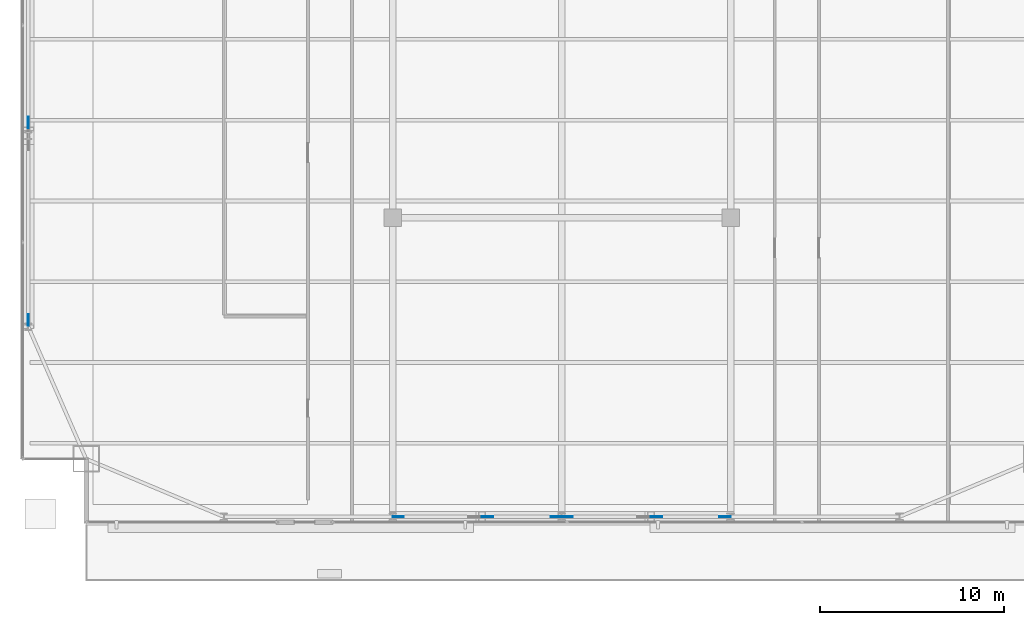
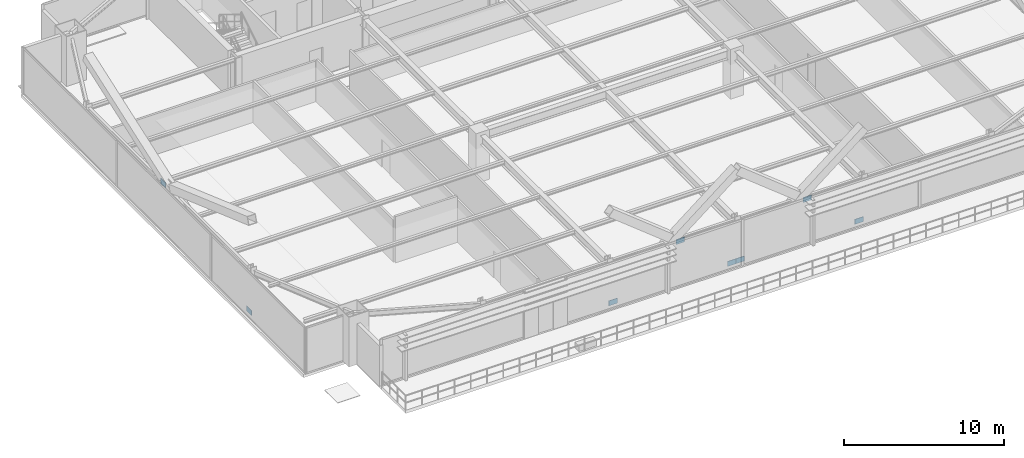
# One storey, part 28 of 35: 8 plates.
"""IFC4 building model written with IfcOpenShell, lengths in metres."""

from ifc_helpers import new_model, si_unit, direction, frame, origin, origin_2d, place, context, subcontext, project, spatial, rectangle, extrude, source, transform, mapped, material, layer, layer_set, type_object, type_shapes, element, save


model = new_model("IFC4")

# Units and contexts
model_context = context("Model", 3, precision=1e-05, world=origin(), true_north=direction((0.0, 1.0)))
body_context = subcontext(model_context, "Body", "Model", "MODEL_VIEW")
ifc_project = project(units=[si_unit("LENGTHUNIT", "METRE"), si_unit("AREAUNIT", "SQUARE_METRE"), si_unit("VOLUMEUNIT", "CUBIC_METRE"), si_unit("PLANEANGLEUNIT", "RADIAN"), si_unit("MASSUNIT", "GRAM", prefix="KILO")], contexts=[model_context])

# Site, building, storey
site_placement = place(None, origin())
site = spatial("IfcSite", under=ifc_project, at=site_placement, CompositionType="ELEMENT")
building_placement = place(site_placement, origin())
building = spatial("IfcBuilding", under=site, at=building_placement, Name="Varnel Quay Broadcast Tower", CompositionType="ELEMENT")
storey_placement = place(building_placement, frame((0.0, 0.0, 87.0)))
storey = spatial("IfcBuildingStorey", under=building, at=storey_placement, Name="L20", CompositionType="ELEMENT", Elevation=87.0)

# Plates
ifc_material = material(Name="Structural Steel CSA G40.21 350WT", Category="steel")
ifc_layer = layer(ifc_material, 0.031982421875, Name="Structural Steel CSA G40.21 350WT")
ifc_layer_set = layer_set([ifc_layer], Name="Structural Steel CSA G40.21 350WT")
plate_type = type_object("IfcPlateType", Name="Plate_EndCap", PredefinedType="USERDEFINED", material=ifc_layer_set)
shared_shape = source(origin(), body_context, "Body", "SweptSolid", [
    extrude(rectangle(XDim=0.6201171875, YDim=0.031982421875, at=origin_2d()), origin(), (0.0, 0.0, 1.0), 0.3798828125),
])
type_shapes(plate_type, [shared_shape])
for number, where, z_axis, x_axis, name in (
    (1, (25.097412109375, 4.64990234375, 0.06640625), (0.0, 0.0, 1.0), (1.0, 0.0, 0.0), "Zone 2 Mega-Brace S-C1T1 Diag A End Connection Plate P0"),
    (2, (33.702392578125, 4.64990234375, 0.06640625), (0.0, 0.0, 1.0), (1.0, 0.0, 0.0), "Zone 2 Mega-Brace S-C1T1 Diag B1 End Connection Plate P0"),
    (3, (29.958251953125, 4.64990234375, 3.04150390625), (0.0, 0.0, 1.0), (1.0, 0.0, 0.0), "Zone 2 Mega-Brace S-C1T1 Diag B1 End Connection Plate P1"),
    (4, (34.297607421875, 4.64990234375, 0.06640625), (0.0, 0.0, 1.0), (1.0, 0.0, 0.0), "Zone 2 Mega-Brace S-C2T1 Diag A End Connection Plate P0"),
    (5, (42.902587890625, 4.64990234375, 0.06640625), (0.0, 0.0, 1.0), (1.0, 0.0, 0.0), "Zone 2 Mega-Brace S-C2T1 Diag B1 End Connection Plate P0"),
    (6, (39.158203125, 4.64990234375, 3.04150390625), (0.0, 0.0, 1.0), (1.0, 0.0, 0.0), "Zone 2 Mega-Brace S-C2T1 Diag B1 End Connection Plate P1"),
    (7, (4.949951171875, 15.358154296875, -0.042724609375), (0.0, 0.0, 1.0), (0.0, 1.0, 0.0), "Zone 2 Mega-Brace W-FT1 Diag A End Connection Plate P0"),
    (8, (4.949951171875, 26.130126953125, 3.1904296875), (0.0, 0.0, 1.0), (0.0, 1.0, 0.0), "Zone 2 Mega-Brace W-FT1 Diag B1 End Connection Plate P1"),
):
    element("IfcPlate", number, at=place(storey_placement, frame(where, z_axis=z_axis, x_axis=x_axis)), inside=storey, type_object=plate_type, Name=name, ObjectType="CAP_PLATE", PredefinedType="USERDEFINED", context=body_context, shape_type="MappedRepresentation", body=[
        mapped(shared_shape, transform((0.0, 0.0, 0.0), x_axis=(1.0, 0.0, 0.0), y_axis=(0.0, 1.0, 0.0), z_axis=(0.0, 0.0, 1.0), scale=1.0)),
    ])

save(model, "model.ifc")
